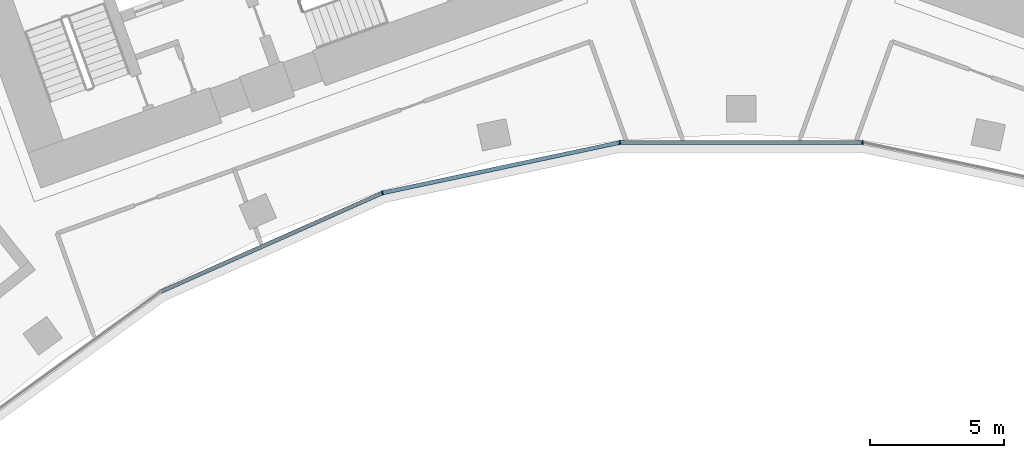
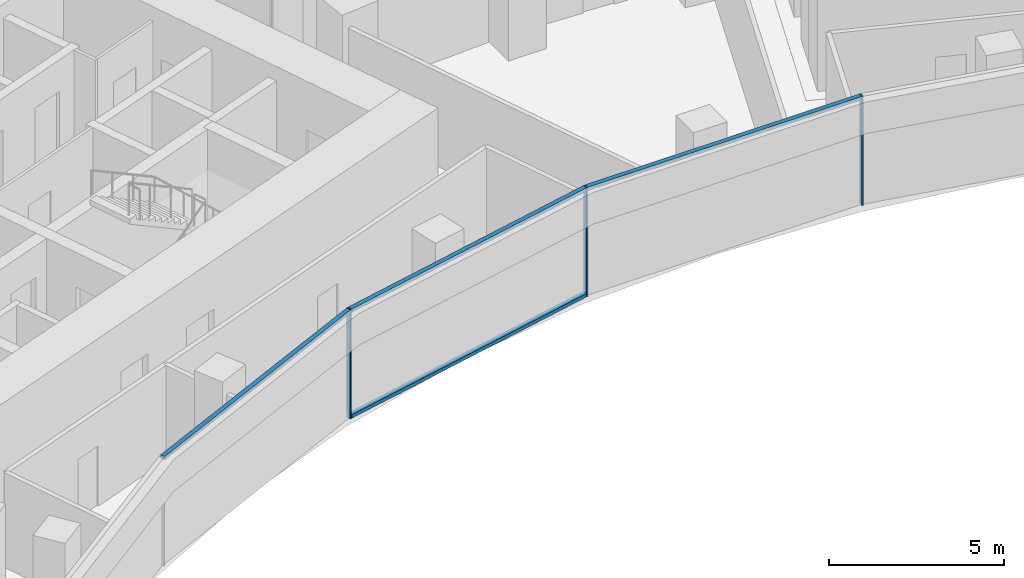
# One storey, part 5 of 21: 7 members, 1 element without a shape of its own.
"""IFC4 building model written with IfcOpenShell, lengths in metres."""

from ifc_helpers import new_model, si_unit, direction, frame, origin, origin_2d, place, context, subcontext, project, spatial, rectangle, extrude, material, layer, layer_set, material_profile, profile_set, type_object, element, aggregate, save


model = new_model("IFC4")

# Units and contexts
model_context = context("Model", 3, precision=1e-05, world=origin(), true_north=direction((0.0, 1.0)))
body_context = subcontext(model_context, "Body", "Model", "MODEL_VIEW")
ifc_project = project(units=[si_unit("LENGTHUNIT", "METRE"), si_unit("AREAUNIT", "SQUARE_METRE"), si_unit("VOLUMEUNIT", "CUBIC_METRE"), si_unit("PLANEANGLEUNIT", "RADIAN"), si_unit("MASSUNIT", "GRAM", prefix="KILO")], contexts=[model_context])

# Site, building, storey
site_placement = place(None, origin())
site = spatial("IfcSite", under=ifc_project, at=site_placement, CompositionType="ELEMENT")
building_placement = place(site_placement, origin())
building = spatial("IfcBuilding", under=site, at=building_placement, Name="Stone Belt Terrace Tower", CompositionType="ELEMENT")
storey_placement = place(building_placement, frame((0.0, 0.0, 189.60009765625)))
storey = spatial("IfcBuildingStorey", under=building, at=storey_placement, Name="L46", CompositionType="ELEMENT", Elevation=189.60009765625)

# Curtain wall, members
ifc_material = material(Name="Aluminium 6063-T6 anodised frame", Category="aluminium")
ifc_layer = layer(ifc_material, 0.14990234375)
ifc_layer_set = layer_set([ifc_layer], Name="CW-B unitised concave-face curtain wall")
curtain_wall_type = type_object("IfcCurtainWallType", Name="CW-B unitised concave-face curtain wall", PredefinedType="NOTDEFINED", material=ifc_layer_set)
curtain_wall_placement = place(storey_placement, origin())
curtain_wall = element("IfcCurtainWall", 1, at=curtain_wall_placement, inside=storey, type_object=curtain_wall_type, Name="CW-B concave face L46", PredefinedType="NOTDEFINED")
ifc_material_profile_1 = material_profile(ifc_material, rectangle(XDim=0.14990234375, YDim=0.050048828125, at=origin_2d()), Name="Aluminium 6063-T6 50x150")
ifc_profile_set_1 = profile_set([ifc_material_profile_1], Name="Aluminium 6063-T6 anodised frame")
member_type_1 = type_object("IfcMemberType", Name="CW-B mullion 50 x 150", PredefinedType="MULLION", material=ifc_profile_set_1)
member_1_placement = place(storey_placement, frame((-13.4189453125, 41.29931640625, 0.0), z_axis=(0.0, 0.0, 1.0), x_axis=(-0.309016994375, 0.951056516295, 0.0)))
member_1 = element("IfcMember", 2, at=member_1_placement, type_object=member_type_1, Name="CW-B mullion 4", PredefinedType="MULLION", context=body_context, shape_type="SweptSolid", body=[
    extrude(rectangle(XDim=0.14990234375, YDim=0.050048828125, at=origin_2d()), origin(), (0.0, 0.0, 1.0), 3.7998046875),
])
member_2_placement = place(storey_placement, frame((-4.5390625, 43.186767578125, 0.0), z_axis=(0.0, 0.0, 1.0), x_axis=(-0.104528463268, 0.994521895368, 0.0)))
member_2 = element("IfcMember", 3, at=member_2_placement, type_object=member_type_1, Name="CW-B mullion 5", PredefinedType="MULLION", context=body_context, shape_type="SweptSolid", body=[
    extrude(rectangle(XDim=0.14990234375, YDim=0.050048828125, at=origin_2d()), origin(), (0.0, 0.0, 1.0), 3.7998046875),
])
member_3_placement = place(storey_placement, frame((4.5390625, 43.186767578125, 0.0), z_axis=(0.0, 0.0, 1.0), x_axis=(0.104528463268, 0.994521895368, 0.0)))
member_3 = element("IfcMember", 4, at=member_3_placement, type_object=member_type_1, Name="CW-B mullion 6", PredefinedType="MULLION", context=body_context, shape_type="SweptSolid", body=[
    extrude(rectangle(XDim=0.14990234375, YDim=0.050048828125, at=origin_2d()), origin(), (0.0, 0.0, 1.0), 3.7998046875),
])
ifc_material_profile_2 = material_profile(ifc_material, rectangle(XDim=0.14990234375, YDim=0.1201171875, at=origin_2d()), Name="Aluminium 6063-T6 150x120")
ifc_profile_set_2 = profile_set([ifc_material_profile_2], Name="Aluminium 6063-T6 anodised frame")
member_type_2 = type_object("IfcMemberType", Name="CW-B transom 120 x 150", PredefinedType="USERDEFINED", material=ifc_profile_set_2)
member_4_placement = place(storey_placement, frame((-21.682373046875, 37.6201171875, 3.739990234375), z_axis=(0.913548853737, 0.406729015237, 0.0), x_axis=(-0.406729015237, 0.913548853737, 0.0)))
member_4 = element("IfcMember", 5, at=member_4_placement, type_object=member_type_2, Name="CW-B transom 3.1", ObjectType="TRANSOM", PredefinedType="USERDEFINED", context=body_context, shape_type="SweptSolid", body=[
    extrude(rectangle(XDim=0.14990234375, YDim=0.1201171875, at=origin_2d()), origin(), (0.0, 0.0, 1.0), 9.0126953125),
])
member_5_placement = place(storey_placement, frame((-13.386962890625, 41.30615234375, 0.059814453125), z_axis=(0.9781499003, 0.207900871914, 0.0), x_axis=(-0.207900871914, 0.9781499003, 0.0)))
member_5 = element("IfcMember", 6, at=member_5_placement, type_object=member_type_2, Name="CW-B transom 4.1", ObjectType="TRANSOM", PredefinedType="USERDEFINED", context=body_context, shape_type="SweptSolid", body=[
    extrude(rectangle(XDim=0.14990234375, YDim=0.1201171875, at=origin_2d()), origin(), (0.0, 0.0, 1.0), 9.012939453125),
])
member_6_placement = place(storey_placement, frame((-13.386962890625, 41.30615234375, 3.739990234375), z_axis=(0.9781499003, 0.207900871914, 0.0), x_axis=(-0.207900871914, 0.9781499003, 0.0)))
member_6 = element("IfcMember", 7, at=member_6_placement, type_object=member_type_2, Name="CW-B transom 4.2", ObjectType="TRANSOM", PredefinedType="USERDEFINED", context=body_context, shape_type="SweptSolid", body=[
    extrude(rectangle(XDim=0.14990234375, YDim=0.1201171875, at=origin_2d()), origin(), (0.0, 0.0, 1.0), 9.012939453125),
])
member_7_placement = place(storey_placement, frame((-4.50634765625, 43.186767578125, 3.739990234375), z_axis=(1.0, 0.0, 0.0), x_axis=(0.0, 1.0, 0.0)))
member_7 = element("IfcMember", 8, at=member_7_placement, type_object=member_type_2, Name="CW-B transom 5.1", ObjectType="TRANSOM", PredefinedType="USERDEFINED", context=body_context, shape_type="SweptSolid", body=[
    extrude(rectangle(XDim=0.14990234375, YDim=0.1201171875, at=origin_2d()), origin(), (0.0, 0.0, 1.0), 9.0126953125),
])
aggregate(curtain_wall, [member_1, member_2, member_3, member_4, member_5, member_6, member_7])

save(model, "model.ifc")
